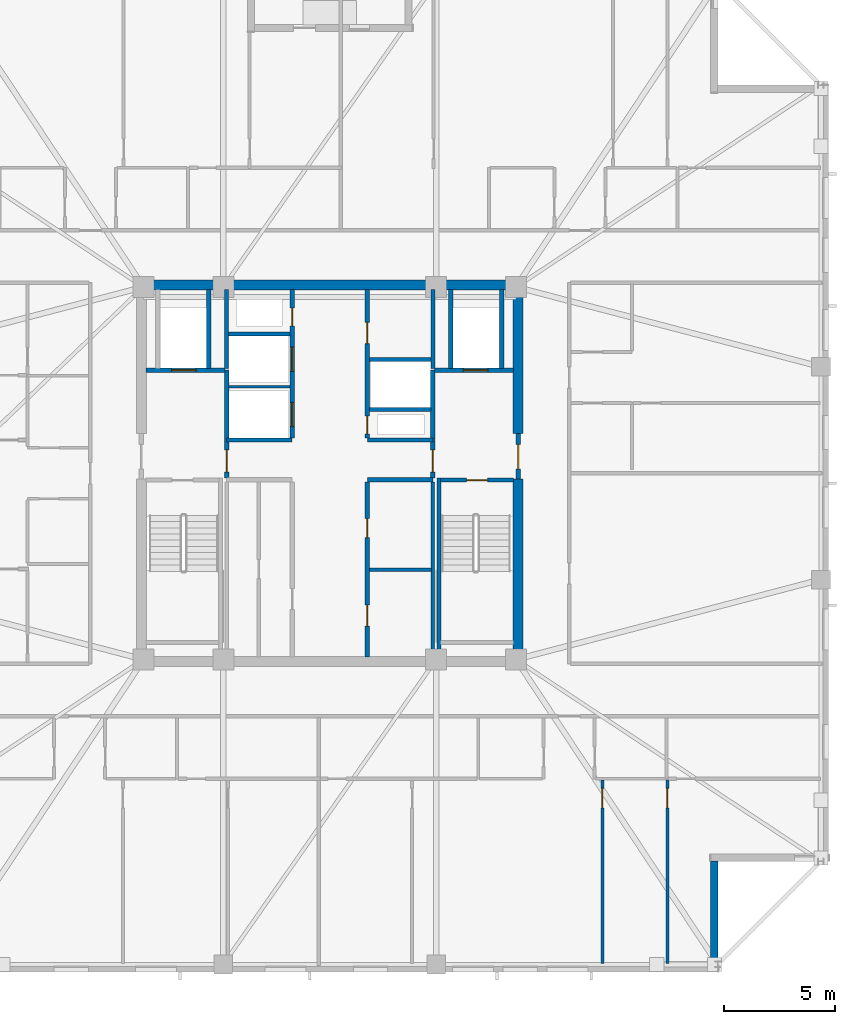
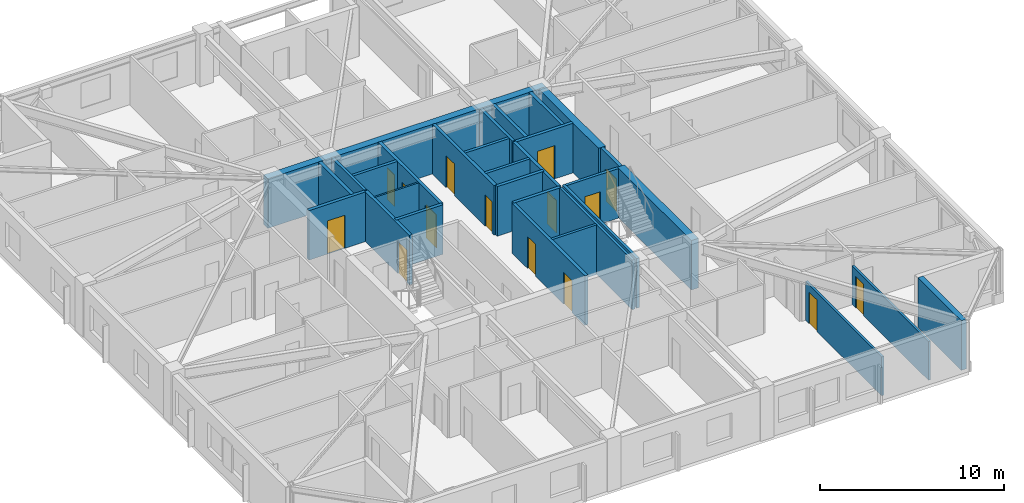
# One storey, part 9 of 17: 30 walls, 15 doors, 15 openings.
"""IFC4 building model written with IfcOpenShell, lengths in metres."""

from ifc_helpers import new_model, si_unit, direction, frame, frame_2d, origin, place, context, subcontext, project, spatial, rectangle, extrude, material, layer, layer_set, type_object, element, fill, save


model = new_model("IFC4")

# Units and contexts
model_context = context("Model", 3, precision=1e-05, world=origin(), true_north=direction((0.0, 1.0)))
body_context = subcontext(model_context, "Body", "Model", "MODEL_VIEW")
ifc_project = project(units=[si_unit("LENGTHUNIT", "METRE"), si_unit("AREAUNIT", "SQUARE_METRE"), si_unit("VOLUMEUNIT", "CUBIC_METRE"), si_unit("PLANEANGLEUNIT", "RADIAN"), si_unit("MASSUNIT", "GRAM", prefix="KILO")], contexts=[model_context])

# Site, building, storey
site_placement = place(None, origin())
site = spatial("IfcSite", under=ifc_project, at=site_placement, CompositionType="ELEMENT")
building_placement = place(site_placement, origin())
building = spatial("IfcBuilding", under=site, at=building_placement, Name="Cairnveth Concourse Tower", CompositionType="ELEMENT")
storey_placement = place(building_placement, frame((0.0, 0.0, 209.5)))
storey = spatial("IfcBuildingStorey", under=building, at=storey_placement, Name="L57", CompositionType="ELEMENT", Elevation=209.5)

# Walls
ifc_material_1 = material(Name="Gypsum Plasterboard Partition", Category="gypsum")
ifc_layer_1 = layer(ifc_material_1, 0.159912109375)
ifc_layer_set_1 = layer_set([ifc_layer_1], Name="Gypsum Plasterboard Partition")
wall_type_1 = type_object("IfcWallType", Name="ACOUSTIC PARTY WALL 180", PredefinedType="PARTITIONING", material=ifc_layer_set_1)
wall_1_placement = place(storey_placement, frame((56.64990234375, 30.7099609375, 0.0), z_axis=(0.0, 0.0, 1.0), x_axis=(0.0, 1.0, 0.0)))
element("IfcWall", 1, at=wall_1_placement, inside=storey, type_object=wall_type_1, Name="Interior Wall IW-L57-027", PredefinedType="PARTITIONING", context=body_context, shape_type="SweptSolid", body=[
    extrude(rectangle(XDim=7.905029296875, YDim=0.159912109375, at=frame_2d((3.95263671875, 0.0))), origin(), (0.0, 0.0, 1.0), 3.2900390625),
])
wall_2_placement = place(storey_placement, frame((53.784912109375, 34.64990234375, 0.0), z_axis=(0.0, 0.0, 1.0), x_axis=(1.0, 0.0, 0.0)))
element("IfcWall", 2, at=wall_2_placement, inside=storey, type_object=wall_type_1, Name="Interior Wall IW-L57-028", PredefinedType="PARTITIONING", context=body_context, shape_type="SweptSolid", body=[
    extrude(rectangle(XDim=2.800048828125, YDim=0.159912109375, at=frame_2d((1.39990234375, 0.0))), origin(), (0.0, 0.0, 1.0), 3.2900390625),
])
ifc_material_2 = material(Name="Concrete N65 (65 MPa)", Category="concrete")
ifc_layer_2 = layer(ifc_material_2, 0.449951171875)
ifc_layer_set_2 = layer_set([ifc_layer_2], Name="Concrete N65 (65 MPa)")
wall_type_2 = type_object("IfcWallType", Name="CORE SHEAR WALL 450", PredefinedType="SHEAR", material=ifc_layer_set_2)
wall_3_placement = place(storey_placement, frame((43.27490234375, 47.5, 0.0), z_axis=(0.0, 0.0, 1.0), x_axis=(1.0, 0.0, 0.0)))
element("IfcWall", 3, at=wall_3_placement, inside=storey, type_object=wall_type_2, Name="Core North Shear Wall L57", PredefinedType="SHEAR", context=body_context, shape_type="SweptSolid", body=[
    extrude(rectangle(XDim=17.4501953125, YDim=0.449951171875, at=frame_2d((8.72509765625, 0.0))), origin(), (0.0, 0.0, 1.0), 3.2900390625),
])
wall_4_placement = place(storey_placement, frame((60.5, 30.715087890625, 0.0), z_axis=(0.0, 0.0, 1.0), x_axis=(0.0, 1.0, 0.0)))
element("IfcWall", 4, at=wall_4_placement, inside=storey, type_object=wall_type_2, Name="Core East Shear Wall S L57", PredefinedType="SHEAR", context=body_context, shape_type="SweptSolid", body=[
    extrude(rectangle(XDim=8.034912109375, YDim=0.449951171875, at=frame_2d((4.017578125, 0.0))), origin(), (0.0, 0.0, 1.0), 3.2900390625),
])
wall_5_placement = place(storey_placement, frame((60.5, 40.800048828125, 0.0), z_axis=(0.0, 0.0, 1.0), x_axis=(0.0, 1.0, 0.0)))
element("IfcWall", 5, at=wall_5_placement, inside=storey, type_object=wall_type_2, Name="Core East Shear Wall N L57", PredefinedType="SHEAR", context=body_context, shape_type="SweptSolid", body=[
    extrude(rectangle(XDim=6.48486328125, YDim=0.449951171875, at=frame_2d((3.242431640625, 0.0))), origin(), (0.0, 0.0, 1.0), 3.2900390625),
])
ifc_material_3 = material(Name="Concrete N50 (50 MPa)", Category="concrete")
ifc_layer_3 = layer(ifc_material_3, 0.179931640625)
ifc_layer_set_3 = layer_set([ifc_layer_3], Name="Concrete N50 (50 MPa)")
wall_type_3 = type_object("IfcWallType", Name="FIRE SHAFT WALL 180", PredefinedType="SOLIDWALL", material=ifc_layer_set_3)
wall_6_placement = place(storey_placement, frame((47.35009765625, 43.735107421875, 0.0), z_axis=(0.0, 0.0, 1.0), x_axis=(0.0, 1.0, 0.0)))
element("IfcWall", 6, at=wall_6_placement, inside=storey, type_object=wall_type_3, Name="Interior Wall IW-L57-029", PredefinedType="SOLIDWALL", context=body_context, shape_type="SweptSolid", body=[
    extrude(rectangle(XDim=3.554931640625, YDim=0.179931640625, at=frame_2d((1.77734375, 0.0))), origin(), (0.0, 0.0, 1.0), 3.2900390625),
])
wall_7_placement = place(storey_placement, frame((47.425048828125, 45.280029296875, 0.0), z_axis=(0.0, 0.0, 1.0), x_axis=(1.0, 0.0, 0.0)))
element("IfcWall", 7, at=wall_7_placement, inside=storey, type_object=wall_type_3, Name="Interior Wall IW-L57-031", PredefinedType="SOLIDWALL", context=body_context, shape_type="SweptSolid", body=[
    extrude(rectangle(XDim=2.7900390625, YDim=0.179931640625, at=frame_2d((1.39501953125, 0.0))), origin(), (0.0, 0.0, 1.0), 3.2900390625),
])
wall_8_placement = place(storey_placement, frame((56.64990234375, 43.735107421875, 0.0), z_axis=(0.0, 0.0, 1.0), x_axis=(0.0, 1.0, 0.0)))
element("IfcWall", 8, at=wall_8_placement, inside=storey, type_object=wall_type_3, Name="Interior Wall IW-L57-032", PredefinedType="SOLIDWALL", context=body_context, shape_type="SweptSolid", body=[
    extrude(rectangle(XDim=3.554931640625, YDim=0.179931640625, at=frame_2d((1.77734375, 0.0))), origin(), (0.0, 0.0, 1.0), 3.2900390625),
])
wall_9_placement = place(storey_placement, frame((53.784912109375, 41.8798828125, 0.0), z_axis=(0.0, 0.0, 1.0), x_axis=(1.0, 0.0, 0.0)))
element("IfcWall", 9, at=wall_9_placement, inside=storey, type_object=wall_type_3, Name="Interior Wall IW-L57-033", PredefinedType="SOLIDWALL", context=body_context, shape_type="SweptSolid", body=[
    extrude(rectangle(XDim=2.780029296875, YDim=0.179931640625, at=frame_2d((1.39013671875, 0.0))), origin(), (0.0, 0.0, 1.0), 3.2900390625),
])
wall_10_placement = place(storey_placement, frame((53.784912109375, 44.1201171875, 0.0), z_axis=(0.0, 0.0, 1.0), x_axis=(1.0, 0.0, 0.0)))
element("IfcWall", 10, at=wall_10_placement, inside=storey, type_object=wall_type_3, Name="Interior Wall IW-L57-034", PredefinedType="SOLIDWALL", context=body_context, shape_type="SweptSolid", body=[
    extrude(rectangle(XDim=2.7900390625, YDim=0.179931640625, at=frame_2d((1.39501953125, 0.0))), origin(), (0.0, 0.0, 1.0), 3.2900390625),
])

# Wall, opening, door
wall_11_placement = place(storey_placement, frame((57.0048828125, 38.68994140625, 0.0), z_axis=(0.0, 0.0, 1.0), x_axis=(1.0, 0.0, 0.0)))
wall_11 = element("IfcWall", 11, at=wall_11_placement, inside=storey, type_object=wall_type_3, Name="Stair ST-2 Shaft Wall NEAR L57", PredefinedType="SOLIDWALL", context=body_context, shape_type="SweptSolid", body=[
    extrude(rectangle(XDim=3.280029296875, YDim=0.179931640625, at=frame_2d((1.64013671875, 0.0))), origin(), (0.0, 0.0, 1.0), 3.2900390625),
])
opening_1_placement = place(wall_11_placement, frame((1.1650390625, 0.0, 0.0)))
opening_1 = element("IfcOpeningElement", 12, at=opening_1_placement, cuts=wall_11, Name="Opening ID12", PredefinedType="OPENING", context=body_context, shape_type="SweptSolid", body=[
    extrude(rectangle(XDim=0.949951171875, YDim=2.14990234375, at=frame_2d((0.47509765625, 1.074951171875))), frame((0.0, 0.099853515625, 0.0), z_axis=(0.0, -1.0, 0.0), x_axis=(1.0, 0.0, 0.0)), (0.0, 0.0, 1.0), 0.199951171875),
])
ifc_material_4 = material(Name="Steel Grade 350", Category="steel")
door_type_1 = type_object("IfcDoorType", Name="FIRE STAIR DOOR 950X2150", OperationType="NOTDEFINED", PredefinedType="DOOR", material=ifc_material_4)
door_1_placement = place(opening_1_placement, origin())
door_1 = element("IfcDoor", 13, at=door_1_placement, inside=storey, type_object=door_type_1, Name="Stair ST-2 Fire Door L57", OperationType="SINGLE_SWING_RIGHT", OverallHeight=2.14990234375, OverallWidth=0.949951171875, PredefinedType="DOOR", context=body_context, shape_type="SweptSolid", body=[
    extrude(rectangle(XDim=0.949951171875, YDim=2.14990234375, at=frame_2d((0.47509765625, 1.074951171875))), frame((0.0, 0.02490234375, 0.0), z_axis=(0.0, -1.0, 0.0), x_axis=(1.0, 0.0, 0.0)), (0.0, 0.0, 1.0), 0.050048828125),
])
fill(opening_1, door_1)

# Walls
wall_12_placement = place(storey_placement, frame((56.929931640625, 38.780029296875, 0.0), z_axis=(0.0, 0.0, 1.0), x_axis=(0.0, -1.0, 0.0)))
element("IfcWall", 14, at=wall_12_placement, inside=storey, type_object=wall_type_3, Name="Stair ST-2 Shaft Wall LEFT L57", PredefinedType="SOLIDWALL", context=body_context, shape_type="SweptSolid", body=[
    extrude(rectangle(XDim=8.067138671875, YDim=0.179931640625, at=frame_2d((4.03369140625, 0.0))), origin(), (0.0, 0.0, 1.0), 3.2900390625),
])
ifc_layer_4 = layer(ifc_material_3, 0.199951171875)
ifc_layer_set_4 = layer_set([ifc_layer_4], Name="Concrete N50 (50 MPa)")
wall_type_4 = type_object("IfcWallType", Name="FIRE SHAFT WALL 200", PredefinedType="SOLIDWALL", material=ifc_layer_set_4)
for number, where, z_axis, x_axis, name in (
    (15, (47.35009765625, 40.5, 0.0), (0.0, 0.0, 1.0), (1.0, 0.0, 0.0), "Interior Wall IW-L57-008"),
    (16, (53.699951171875, 38.699951171875, 0.0), (0.0, 0.0, 1.0), (1.0, 0.0, 0.0), "Interior Wall IW-L57-009"),
    (17, (53.699951171875, 40.5, 0.0), (0.0, 0.0, 1.0), (1.0, 0.0, 0.0), "Interior Wall IW-L57-010"),
):
    element("IfcWall", number, at=place(storey_placement, frame(where, z_axis=z_axis, x_axis=x_axis)), inside=storey, type_object=wall_type_4, Name=name, PredefinedType="SOLIDWALL", context=body_context, shape_type="SweptSolid", body=[
        extrude(rectangle(XDim=2.949951171875, YDim=0.199951171875, at=frame_2d((1.47509765625, 0.0))), origin(), (0.0, 0.0, 1.0), 3.2900390625),
    ])

# Wall, openings, doors
wall_13_placement = place(storey_placement, frame((53.699951171875, 30.7099609375, 0.0), z_axis=(0.0, 0.0, 1.0), x_axis=(0.0, 1.0, 0.0)))
wall_13 = element("IfcWall", 18, at=wall_13_placement, inside=storey, type_object=wall_type_4, Name="Interior Wall IW-L57-012", PredefinedType="SOLIDWALL", context=body_context, shape_type="SweptSolid", body=[
    extrude(rectangle(XDim=7.905029296875, YDim=0.199951171875, at=frame_2d((3.95263671875, 0.0))), origin(), (0.0, 0.0, 1.0), 3.2900390625),
])
opening_2_placement = place(wall_13_placement, frame((1.389892578125, 0.0, 0.0)))
opening_2 = element("IfcOpeningElement", 19, at=opening_2_placement, cuts=wall_13, Name="Opening ID25", PredefinedType="OPENING", context=body_context, shape_type="SweptSolid", body=[
    extrude(rectangle(XDim=0.949951171875, YDim=2.1201171875, at=frame_2d((0.47509765625, 1.06005859375))), frame((0.0, 0.10986328125, 0.0), z_axis=(0.0, -1.0, 0.0), x_axis=(1.0, 0.0, 0.0)), (0.0, 0.0, 1.0), 0.219970703125),
])
opening_3_placement = place(wall_13_placement, frame((5.389892578125, 0.0, 0.0)))
opening_3 = element("IfcOpeningElement", 20, at=opening_3_placement, cuts=wall_13, Name="Opening ID19", PredefinedType="OPENING", context=body_context, shape_type="SweptSolid", body=[
    extrude(rectangle(XDim=0.85009765625, YDim=2.1201171875, at=frame_2d((0.425048828125, 1.06005859375))), frame((0.0, 0.10986328125, 0.0), z_axis=(0.0, -1.0, 0.0), x_axis=(1.0, 0.0, 0.0)), (0.0, 0.0, 1.0), 0.219970703125),
])
door_type_2 = type_object("IfcDoorType", Name="CORE ACCESSIBLE FIRE DOOR 950X2120", OperationType="NOTDEFINED", PredefinedType="DOOR", material=ifc_material_4)
door_2_placement = place(opening_2_placement, origin())
door_2 = element("IfcDoor", 21, at=door_2_placement, inside=storey, type_object=door_type_2, Name="Sky WC Door L57", OperationType="SINGLE_SWING_LEFT", OverallHeight=2.1201171875, OverallWidth=0.949951171875, PredefinedType="DOOR", context=body_context, shape_type="SweptSolid", body=[
    extrude(rectangle(XDim=0.949951171875, YDim=2.1201171875, at=frame_2d((0.47509765625, 1.06005859375))), frame((0.0, 0.02490234375, 0.0), z_axis=(0.0, -1.0, 0.0), x_axis=(1.0, 0.0, 0.0)), (0.0, 0.0, 1.0), 0.050048828125),
])
fill(opening_2, door_2)
door_type_3 = type_object("IfcDoorType", Name="CORE SERVICE DOOR 850X2100", OperationType="NOTDEFINED", PredefinedType="DOOR", material=ifc_material_4)
door_3_placement = place(opening_3_placement, origin())
door_3 = element("IfcDoor", 22, at=door_3_placement, inside=storey, type_object=door_type_3, Name="Janitor Door L57", OperationType="SINGLE_SWING_RIGHT", OverallHeight=2.1201171875, OverallWidth=0.85009765625, PredefinedType="DOOR", context=body_context, shape_type="SweptSolid", body=[
    extrude(rectangle(XDim=0.85009765625, YDim=2.1201171875, at=frame_2d((0.425048828125, 1.06005859375))), frame((0.0, 0.02490234375, 0.0), z_axis=(0.0, -1.0, 0.0), x_axis=(1.0, 0.0, 0.0)), (0.0, 0.0, 1.0), 0.050048828125),
])
fill(opening_3, door_3)

wall_14_placement = place(storey_placement, frame((50.300048828125, 40.5849609375, 0.0), z_axis=(0.0, 0.0, 1.0), x_axis=(0.0, 1.0, 0.0)))
wall_14 = element("IfcWall", 23, at=wall_14_placement, inside=storey, type_object=wall_type_4, Name="Interior Wall IW-L57-013", PredefinedType="SOLIDWALL", context=body_context, shape_type="SweptSolid", body=[
    extrude(rectangle(XDim=6.705078125, YDim=0.199951171875, at=frame_2d((3.3525390625, 0.0))), origin(), (0.0, 0.0, 1.0), 3.2900390625),
])
opening_4_placement = place(wall_14_placement, frame((0.514892578125, 0.0, 0.0)))
opening_4 = element("IfcOpeningElement", 24, at=opening_4_placement, cuts=wall_14, Name="Opening LD-1", PredefinedType="OPENING", context=body_context, shape_type="SweptSolid", body=[
    extrude(rectangle(XDim=1.10009765625, YDim=2.199951171875, at=frame_2d((0.550048828125, 1.10009765625))), frame((0.0, 0.10986328125, 0.0), z_axis=(0.0, -1.0, 0.0), x_axis=(1.0, 0.0, 0.0)), (0.0, 0.0, 1.0), 0.219970703125),
])
opening_5_placement = place(wall_14_placement, frame((3.014892578125, 0.0, 0.0)))
opening_5 = element("IfcOpeningElement", 25, at=opening_5_placement, cuts=wall_14, Name="Opening LD-1", PredefinedType="OPENING", context=body_context, shape_type="SweptSolid", body=[
    extrude(rectangle(XDim=1.10009765625, YDim=2.199951171875, at=frame_2d((0.550048828125, 1.10009765625))), frame((0.0, 0.10986328125, 0.0), z_axis=(0.0, -1.0, 0.0), x_axis=(1.0, 0.0, 0.0)), (0.0, 0.0, 1.0), 0.219970703125),
])
opening_6_placement = place(wall_14_placement, frame((5.06494140625, 0.0, 0.0)))
opening_6 = element("IfcOpeningElement", 26, at=opening_6_placement, cuts=wall_14, Name="Opening ID24", PredefinedType="OPENING", context=body_context, shape_type="SweptSolid", body=[
    extrude(rectangle(XDim=0.800048828125, YDim=2.080078125, at=frame_2d((0.39990234375, 1.0400390625))), frame((0.0, 0.10986328125, 0.0), z_axis=(0.0, -1.0, 0.0), x_axis=(1.0, 0.0, 0.0)), (0.0, 0.0, 1.0), 0.219970703125),
])
ifc_material_5 = material(Name="Architectural Bronze Anodised Aluminium 6063-T6", Category="aluminium")
door_type_4 = type_object("IfcDoorType", Name="LIFT LANDING DOOR 1100X2200", OperationType="SLIDING_TO_LEFT", PredefinedType="DOOR", material=ifc_material_5)
door_4_placement = place(opening_4_placement, origin())
door_4 = element("IfcDoor", 27, at=door_4_placement, inside=storey, type_object=door_type_4, Name="Lift PL7 Landing Door L57", OperationType="SLIDING_TO_LEFT", OverallHeight=2.199951171875, OverallWidth=1.10009765625, PredefinedType="DOOR", context=body_context, shape_type="SweptSolid", body=[
    extrude(rectangle(XDim=1.10009765625, YDim=2.199951171875, at=frame_2d((0.550048828125, 1.10009765625))), frame((0.0, 0.02490234375, 0.0), z_axis=(0.0, -1.0, 0.0), x_axis=(1.0, 0.0, 0.0)), (0.0, 0.0, 1.0), 0.050048828125),
])
fill(opening_4, door_4)
door_5_placement = place(opening_5_placement, origin())
door_5 = element("IfcDoor", 28, at=door_5_placement, inside=storey, type_object=door_type_4, Name="Lift PL8 Landing Door L57", OperationType="SLIDING_TO_LEFT", OverallHeight=2.199951171875, OverallWidth=1.10009765625, PredefinedType="DOOR", context=body_context, shape_type="SweptSolid", body=[
    extrude(rectangle(XDim=1.10009765625, YDim=2.199951171875, at=frame_2d((0.550048828125, 1.10009765625))), frame((0.0, 0.02490234375, 0.0), z_axis=(0.0, -1.0, 0.0), x_axis=(1.0, 0.0, 0.0)), (0.0, 0.0, 1.0), 0.050048828125),
])
fill(opening_5, door_5)
door_type_5 = type_object("IfcDoorType", Name="RISER ACCESS DOOR 800X2100", OperationType="NOTDEFINED", PredefinedType="DOOR", material=ifc_material_4)
door_6_placement = place(opening_6_placement, origin())
door_6 = element("IfcDoor", 29, at=door_6_placement, inside=storey, type_object=door_type_5, Name="NW Electrical Riser Access Door L57", OperationType="SINGLE_SWING_LEFT", OverallHeight=2.080078125, OverallWidth=0.800048828125, PredefinedType="DOOR", context=body_context, shape_type="SweptSolid", body=[
    extrude(rectangle(XDim=0.800048828125, YDim=2.080078125, at=frame_2d((0.39990234375, 1.0400390625))), frame((0.0, 0.02490234375, 0.0), z_axis=(0.0, -1.0, 0.0), x_axis=(1.0, 0.0, 0.0)), (0.0, 0.0, 1.0), 0.050048828125),
])
fill(opening_6, door_6)

wall_15_placement = place(storey_placement, frame((53.699951171875, 40.5849609375, 0.0), z_axis=(0.0, 0.0, 1.0), x_axis=(0.0, 1.0, 0.0)))
wall_15 = element("IfcWall", 30, at=wall_15_placement, inside=storey, type_object=wall_type_4, Name="Interior Wall IW-L57-014", PredefinedType="SOLIDWALL", context=body_context, shape_type="SweptSolid", body=[
    extrude(rectangle(XDim=6.705078125, YDim=0.199951171875, at=frame_2d((3.3525390625, 0.0))), origin(), (0.0, 0.0, 1.0), 3.2900390625),
])
opening_7_placement = place(wall_15_placement, frame((0.195068359375, 0.0, 0.0)))
opening_7 = element("IfcOpeningElement", 31, at=opening_7_placement, cuts=wall_15, Name="Opening ID24", PredefinedType="OPENING", context=body_context, shape_type="SweptSolid", body=[
    extrude(rectangle(XDim=0.800048828125, YDim=2.080078125, at=frame_2d((0.39990234375, 1.0400390625))), frame((0.0, 0.10986328125, 0.0), z_axis=(0.0, -1.0, 0.0), x_axis=(1.0, 0.0, 0.0)), (0.0, 0.0, 1.0), 0.219970703125),
])
opening_8_placement = place(wall_15_placement, frame((4.264892578125, 0.0, 0.0)))
opening_8 = element("IfcOpeningElement", 32, at=opening_8_placement, cuts=wall_15, Name="Opening ID25", PredefinedType="OPENING", context=body_context, shape_type="SweptSolid", body=[
    extrude(rectangle(XDim=0.949951171875, YDim=2.1201171875, at=frame_2d((0.47509765625, 1.06005859375))), frame((0.0, 0.10986328125, 0.0), z_axis=(0.0, -1.0, 0.0), x_axis=(1.0, 0.0, 0.0)), (0.0, 0.0, 1.0), 0.219970703125),
])
door_7_placement = place(opening_8_placement, origin())
door_7 = element("IfcDoor", 33, at=door_7_placement, inside=storey, type_object=door_type_2, Name="Core NE Accessible WC Door L57", OperationType="SINGLE_SWING_LEFT", OverallHeight=2.1201171875, OverallWidth=0.949951171875, PredefinedType="DOOR", context=body_context, shape_type="SweptSolid", body=[
    extrude(rectangle(XDim=0.949951171875, YDim=2.1201171875, at=frame_2d((0.47509765625, 1.06005859375))), frame((0.0, 0.02490234375, 0.0), z_axis=(0.0, -1.0, 0.0), x_axis=(1.0, 0.0, 0.0)), (0.0, 0.0, 1.0), 0.050048828125),
])
fill(opening_8, door_7)
door_8_placement = place(opening_7_placement, origin())
door_8 = element("IfcDoor", 34, at=door_8_placement, inside=storey, type_object=door_type_5, Name="Hydraulic Riser Door L57", OperationType="SINGLE_SWING_RIGHT", OverallHeight=2.080078125, OverallWidth=0.800048828125, PredefinedType="DOOR", context=body_context, shape_type="SweptSolid", body=[
    extrude(rectangle(XDim=0.800048828125, YDim=2.080078125, at=frame_2d((0.39990234375, 1.0400390625))), frame((0.0, 0.02490234375, 0.0), z_axis=(0.0, -1.0, 0.0), x_axis=(1.0, 0.0, 0.0)), (0.0, 0.0, 1.0), 0.050048828125),
])
fill(opening_7, door_8)

# Wall, opening, door
wall_16_placement = place(storey_placement, frame((47.35009765625, 38.784912109375, 0.0), z_axis=(0.0, 0.0, 1.0), x_axis=(0.0, 1.0, 0.0)))
wall_16 = element("IfcWall", 35, at=wall_16_placement, inside=storey, type_object=wall_type_4, Name="Interior Wall IW-L57-016", PredefinedType="SOLIDWALL", context=body_context, shape_type="SweptSolid", body=[
    extrude(rectangle(XDim=4.864990234375, YDim=0.199951171875, at=frame_2d((2.4326171875, 0.0))), origin(), (0.0, 0.0, 1.0), 3.2900390625),
])
opening_9_placement = place(wall_16_placement, frame((0.264892578125, 0.0, 0.0)))
opening_9 = element("IfcOpeningElement", 36, at=opening_9_placement, cuts=wall_16, Name="Opening ID07", PredefinedType="OPENING", context=body_context, shape_type="SweptSolid", body=[
    extrude(rectangle(XDim=1.0, YDim=2.14990234375, at=frame_2d((0.5, 1.074951171875))), frame((0.0, 0.10986328125, 0.0), z_axis=(0.0, -1.0, 0.0), x_axis=(1.0, 0.0, 0.0)), (0.0, 0.0, 1.0), 0.219970703125),
])
door_type_6 = type_object("IfcDoorType", Name="FIRE CORRIDOR DOOR 1000X2150", OperationType="NOTDEFINED", PredefinedType="DOOR", material=ifc_material_4)
door_9_placement = place(opening_9_placement, origin())
door_9 = element("IfcDoor", 37, at=door_9_placement, inside=storey, type_object=door_type_6, Name="FF Lobby West to Lift Lobby Door L57", OperationType="SINGLE_SWING_RIGHT", OverallHeight=2.14990234375, OverallWidth=1.0, PredefinedType="DOOR", context=body_context, shape_type="SweptSolid", body=[
    extrude(rectangle(XDim=1.0, YDim=2.14990234375, at=frame_2d((0.5, 1.074951171875))), frame((0.0, 0.02490234375, 0.0), z_axis=(0.0, -1.0, 0.0), x_axis=(1.0, 0.0, 0.0)), (0.0, 0.0, 1.0), 0.050048828125),
])
fill(opening_9, door_9)

wall_17_placement = place(storey_placement, frame((43.7099609375, 43.64990234375, 0.0), z_axis=(0.0, 0.0, 1.0), x_axis=(1.0, 0.0, 0.0)))
wall_17 = element("IfcWall", 38, at=wall_17_placement, inside=storey, type_object=wall_type_4, Name="Interior Wall IW-L57-017", PredefinedType="SOLIDWALL", context=body_context, shape_type="SweptSolid", body=[
    extrude(rectangle(XDim=3.554931640625, YDim=0.199951171875, at=frame_2d((1.77734375, 0.0))), origin(), (0.0, 0.0, 1.0), 3.2900390625),
])
opening_10_placement = place(wall_17_placement, frame((1.159912109375, 0.0, 0.0)))
opening_10 = element("IfcOpeningElement", 39, at=opening_10_placement, cuts=wall_17, Name="Opening LD-1", PredefinedType="OPENING", context=body_context, shape_type="SweptSolid", body=[
    extrude(rectangle(XDim=1.10009765625, YDim=2.199951171875, at=frame_2d((0.550048828125, 1.10009765625))), frame((0.0, 0.10986328125, 0.0), z_axis=(0.0, -1.0, 0.0), x_axis=(1.0, 0.0, 0.0)), (0.0, 0.0, 1.0), 0.219970703125),
])
door_10_placement = place(opening_10_placement, origin())
door_10 = element("IfcDoor", 40, at=door_10_placement, inside=storey, type_object=door_type_4, Name="Lift FFL1 Landing Door L57", OperationType="SLIDING_TO_LEFT", OverallHeight=2.199951171875, OverallWidth=1.10009765625, PredefinedType="DOOR", context=body_context, shape_type="SweptSolid", body=[
    extrude(rectangle(XDim=1.10009765625, YDim=2.199951171875, at=frame_2d((0.550048828125, 1.10009765625))), frame((0.0, 0.02490234375, 0.0), z_axis=(0.0, -1.0, 0.0), x_axis=(1.0, 0.0, 0.0)), (0.0, 0.0, 1.0), 0.050048828125),
])
fill(opening_10, door_10)

# Wall
wall_18_placement = place(storey_placement, frame((46.550048828125, 43.735107421875, 0.0), z_axis=(0.0, 0.0, 1.0), x_axis=(0.0, 1.0, 0.0)))
element("IfcWall", 41, at=wall_18_placement, inside=storey, type_object=wall_type_4, Name="Interior Wall IW-L57-018", PredefinedType="SOLIDWALL", context=body_context, shape_type="SweptSolid", body=[
    extrude(rectangle(XDim=3.554931640625, YDim=0.199951171875, at=frame_2d((1.77734375, 0.0))), origin(), (0.0, 0.0, 1.0), 3.2900390625),
])

# Wall, opening, door
wall_19_placement = place(storey_placement, frame((60.5, 38.75, 0.0), z_axis=(0.0, 0.0, 1.0), x_axis=(0.0, 1.0, 0.0)))
wall_19 = element("IfcWall", 42, at=wall_19_placement, inside=storey, type_object=wall_type_4, Name="Interior Wall IW-L57-020", PredefinedType="SOLIDWALL", context=body_context, shape_type="SweptSolid", body=[
    extrude(rectangle(XDim=2.050048828125, YDim=0.199951171875, at=frame_2d((1.02490234375, 0.0))), origin(), (0.0, 0.0, 1.0), 3.2900390625),
])
opening_11_placement = place(wall_19_placement, frame((0.449951171875, 0.0, 0.0)))
opening_11 = element("IfcOpeningElement", 43, at=opening_11_placement, cuts=wall_19, Name="Opening ID06", PredefinedType="OPENING", context=body_context, shape_type="SweptSolid", body=[
    extrude(rectangle(XDim=1.10009765625, YDim=2.14990234375, at=frame_2d((0.550048828125, 1.074951171875))), frame((0.0, 0.10986328125, 0.0), z_axis=(0.0, -1.0, 0.0), x_axis=(1.0, 0.0, 0.0)), (0.0, 0.0, 1.0), 0.219970703125),
])
door_type_7 = type_object("IfcDoorType", Name="FIRE CORRIDOR DOOR 1100X2150", OperationType="NOTDEFINED", PredefinedType="DOOR", material=ifc_material_4)
door_11_placement = place(opening_11_placement, origin())
door_11 = element("IfcDoor", 44, at=door_11_placement, inside=storey, type_object=door_type_7, Name="East Wing to FF Lobby Door L57", OperationType="SINGLE_SWING_RIGHT", OverallHeight=2.14990234375, OverallWidth=1.10009765625, PredefinedType="DOOR", context=body_context, shape_type="SweptSolid", body=[
    extrude(rectangle(XDim=1.10009765625, YDim=2.14990234375, at=frame_2d((0.550048828125, 1.074951171875))), frame((0.0, 0.02490234375, 0.0), z_axis=(0.0, -1.0, 0.0), x_axis=(1.0, 0.0, 0.0)), (0.0, 0.0, 1.0), 0.050048828125),
])
fill(opening_11, door_11)

wall_20_placement = place(storey_placement, frame((56.64990234375, 38.784912109375, 0.0), z_axis=(0.0, 0.0, 1.0), x_axis=(0.0, 1.0, 0.0)))
wall_20 = element("IfcWall", 45, at=wall_20_placement, inside=storey, type_object=wall_type_4, Name="Interior Wall IW-L57-021", PredefinedType="SOLIDWALL", context=body_context, shape_type="SweptSolid", body=[
    extrude(rectangle(XDim=4.864990234375, YDim=0.199951171875, at=frame_2d((2.4326171875, 0.0))), origin(), (0.0, 0.0, 1.0), 3.2900390625),
])
opening_12_placement = place(wall_20_placement, frame((0.264892578125, 0.0, 0.0)))
opening_12 = element("IfcOpeningElement", 46, at=opening_12_placement, cuts=wall_20, Name="Opening ID07", PredefinedType="OPENING", context=body_context, shape_type="SweptSolid", body=[
    extrude(rectangle(XDim=1.0, YDim=2.14990234375, at=frame_2d((0.5, 1.074951171875))), frame((0.0, 0.10986328125, 0.0), z_axis=(0.0, -1.0, 0.0), x_axis=(1.0, 0.0, 0.0)), (0.0, 0.0, 1.0), 0.219970703125),
])
door_12_placement = place(opening_12_placement, origin())
door_12 = element("IfcDoor", 47, at=door_12_placement, inside=storey, type_object=door_type_6, Name="FF Lobby East to Lift Lobby Door L57", OperationType="SINGLE_SWING_LEFT", OverallHeight=2.14990234375, OverallWidth=1.0, PredefinedType="DOOR", context=body_context, shape_type="SweptSolid", body=[
    extrude(rectangle(XDim=1.0, YDim=2.14990234375, at=frame_2d((0.5, 1.074951171875))), frame((0.0, 0.02490234375, 0.0), z_axis=(0.0, -1.0, 0.0), x_axis=(1.0, 0.0, 0.0)), (0.0, 0.0, 1.0), 0.050048828125),
])
fill(opening_12, door_12)

wall_21_placement = place(storey_placement, frame((56.735107421875, 43.64990234375, 0.0), z_axis=(0.0, 0.0, 1.0), x_axis=(1.0, 0.0, 0.0)))
wall_21 = element("IfcWall", 48, at=wall_21_placement, inside=storey, type_object=wall_type_4, Name="Interior Wall IW-L57-022", PredefinedType="SOLIDWALL", context=body_context, shape_type="SweptSolid", body=[
    extrude(rectangle(XDim=3.554931640625, YDim=0.199951171875, at=frame_2d((1.77734375, 0.0))), origin(), (0.0, 0.0, 1.0), 3.2900390625),
])
opening_13_placement = place(wall_21_placement, frame((1.294921875, 0.0, 0.0)))
opening_13 = element("IfcOpeningElement", 49, at=opening_13_placement, cuts=wall_21, Name="Opening LD-1", PredefinedType="OPENING", context=body_context, shape_type="SweptSolid", body=[
    extrude(rectangle(XDim=1.10009765625, YDim=2.199951171875, at=frame_2d((0.550048828125, 1.10009765625))), frame((0.0, 0.10986328125, 0.0), z_axis=(0.0, -1.0, 0.0), x_axis=(1.0, 0.0, 0.0)), (0.0, 0.0, 1.0), 0.219970703125),
])
door_13_placement = place(opening_13_placement, origin())
door_13 = element("IfcDoor", 50, at=door_13_placement, inside=storey, type_object=door_type_4, Name="Lift FFL2 Landing Door L57", OperationType="SLIDING_TO_LEFT", OverallHeight=2.199951171875, OverallWidth=1.10009765625, PredefinedType="DOOR", context=body_context, shape_type="SweptSolid", body=[
    extrude(rectangle(XDim=1.10009765625, YDim=2.199951171875, at=frame_2d((0.550048828125, 1.10009765625))), frame((0.0, 0.02490234375, 0.0), z_axis=(0.0, -1.0, 0.0), x_axis=(1.0, 0.0, 0.0)), (0.0, 0.0, 1.0), 0.050048828125),
])
fill(opening_13, door_13)

# Walls
for number, where, z_axis, x_axis, name in (
    (51, (57.449951171875, 43.735107421875, 0.0), (0.0, 0.0, 1.0), (0.0, 1.0, 0.0), "Interior Wall IW-L57-023"),
    (52, (59.75, 43.735107421875, 0.0), (0.0, 0.0, 1.0), (0.0, 1.0, 0.0), "Interior Wall IW-L57-024"),
):
    element("IfcWall", number, at=place(storey_placement, frame(where, z_axis=z_axis, x_axis=x_axis)), inside=storey, type_object=wall_type_4, Name=name, PredefinedType="SOLIDWALL", context=body_context, shape_type="SweptSolid", body=[
        extrude(rectangle(XDim=3.554931640625, YDim=0.199951171875, at=frame_2d((1.77734375, 0.0))), origin(), (0.0, 0.0, 1.0), 3.2900390625),
    ])

# Wall, opening, door
ifc_layer_5 = layer(ifc_material_1, 0.139892578125)
ifc_layer_set_5 = layer_set([ifc_layer_5], Name="Gypsum Plasterboard Partition")
wall_type_5 = type_object("IfcWallType", Name="GYPSUM STUD PARTITION 140", PredefinedType="PARTITIONING", material=ifc_layer_set_5)
wall_22_placement = place(storey_placement, frame((67.22998046875, 16.8798828125, 0.0), z_axis=(0.0, 0.0, 1.0), x_axis=(0.0, 1.0, 0.0)))
wall_22 = element("IfcWall", 53, at=wall_22_placement, inside=storey, type_object=wall_type_5, Name="Interior Wall IW-L57-063", PredefinedType="PARTITIONING", context=body_context, shape_type="SweptSolid", body=[
    extrude(rectangle(XDim=8.2900390625, YDim=0.139892578125, at=frame_2d((4.14501953125, 0.0))), origin(), (0.0, 0.0, 1.0), 2.572998046875),
])
opening_14_placement = place(wall_22_placement, frame((7.030029296875, 0.0, 0.0)))
opening_14 = element("IfcOpeningElement", 54, at=opening_14_placement, cuts=wall_22, Name="Opening ID18", PredefinedType="OPENING", context=body_context, shape_type="SweptSolid", body=[
    extrude(rectangle(XDim=0.8798828125, YDim=2.10009765625, at=frame_2d((0.43994140625, 1.050048828125))), frame((0.0, 0.079833984375, 0.0), z_axis=(0.0, -1.0, 0.0), x_axis=(1.0, 0.0, 0.0)), (0.0, 0.0, 1.0), 0.159912109375),
])
ifc_material_6 = material(Name="Solid Core Hardwood Timber Leaf", Category="wood")
door_type_8 = type_object("IfcDoorType", Name="INTERIOR SINGLE DOOR 880X2100", OperationType="NOTDEFINED", PredefinedType="DOOR", material=ifc_material_6)
door_14_placement = place(opening_14_placement, origin())
door_14 = element("IfcDoor", 55, at=door_14_placement, inside=storey, type_object=door_type_8, Name="L57S2 Bedroom 2 Door", OperationType="SINGLE_SWING_LEFT", OverallHeight=2.10009765625, OverallWidth=0.8798828125, PredefinedType="DOOR", context=body_context, shape_type="SweptSolid", body=[
    extrude(rectangle(XDim=0.8798828125, YDim=2.10009765625, at=frame_2d((0.43994140625, 1.050048828125))), frame((0.0, 0.02490234375, 0.0), z_axis=(0.0, -1.0, 0.0), x_axis=(1.0, 0.0, 0.0)), (0.0, 0.0, 1.0), 0.050048828125),
])
fill(opening_14, door_14)

wall_23_placement = place(storey_placement, frame((64.296142578125, 16.8798828125, 0.0), z_axis=(0.0, 0.0, 1.0), x_axis=(0.0, 1.0, 0.0)))
wall_23 = element("IfcWall", 56, at=wall_23_placement, inside=storey, type_object=wall_type_5, Name="Interior Wall IW-L57-065", PredefinedType="PARTITIONING", context=body_context, shape_type="SweptSolid", body=[
    extrude(rectangle(XDim=8.2900390625, YDim=0.139892578125, at=frame_2d((4.14501953125, 0.0))), origin(), (0.0, 0.0, 1.0), 2.572998046875),
])
opening_15_placement = place(wall_23_placement, frame((7.030029296875, 0.0, 0.0)))
opening_15 = element("IfcOpeningElement", 57, at=opening_15_placement, cuts=wall_23, Name="Opening ID18", PredefinedType="OPENING", context=body_context, shape_type="SweptSolid", body=[
    extrude(rectangle(XDim=0.8798828125, YDim=2.10009765625, at=frame_2d((0.43994140625, 1.050048828125))), frame((0.0, 0.079833984375, 0.0), z_axis=(0.0, -1.0, 0.0), x_axis=(1.0, 0.0, 0.0)), (0.0, 0.0, 1.0), 0.159912109375),
])
door_15_placement = place(opening_15_placement, origin())
door_15 = element("IfcDoor", 58, at=door_15_placement, inside=storey, type_object=door_type_8, Name="L57S2 Media Lounge Door", OperationType="SINGLE_SWING_RIGHT", OverallHeight=2.10009765625, OverallWidth=0.8798828125, PredefinedType="DOOR", context=body_context, shape_type="SweptSolid", body=[
    extrude(rectangle(XDim=0.8798828125, YDim=2.10009765625, at=frame_2d((0.43994140625, 1.050048828125))), frame((0.0, 0.02490234375, 0.0), z_axis=(0.0, -1.0, 0.0), x_axis=(1.0, 0.0, 0.0)), (0.0, 0.0, 1.0), 0.050048828125),
])
fill(opening_15, door_15)

# Walls
ifc_layer_6 = layer(ifc_material_1, 0.110107421875)
ifc_layer_set_6 = layer_set([ifc_layer_6], Name="Gypsum Plasterboard Partition")
wall_type_6 = type_object("IfcWallType", Name="SHAFT DIVIDER WALL 140", PredefinedType="PARTITIONING", material=ifc_layer_set_6)
wall_24_placement = place(storey_placement, frame((47.43505859375, 42.89990234375, 0.0), z_axis=(0.0, 0.0, 1.0), x_axis=(1.0, 0.0, 0.0)))
element("IfcWall", 59, at=wall_24_placement, inside=storey, type_object=wall_type_6, Name="Interior Wall IW-L57-030", PredefinedType="PARTITIONING", context=body_context, shape_type="SweptSolid", body=[
    extrude(rectangle(XDim=2.780029296875, YDim=0.110107421875, at=frame_2d((1.39013671875, 0.0))), origin(), (0.0, 0.0, 1.0), 3.2900390625),
])
ifc_material_7 = material(Name="Melbourne Buff Fired Clay Brick Masonry", Category="masonry")
ifc_layer_7 = layer(ifc_material_7, 0.320068359375)
ifc_layer_set_7 = layer_set([ifc_layer_7], Name="Melbourne Buff Fired Clay Brick Masonry")
wall_type_7 = type_object("IfcWallType", Name="ZONE 3 BRICK PIER SPANDREL WALL 320", PredefinedType="SOLIDWALL", material=ifc_layer_set_7)
wall_25_placement = place(storey_placement, frame((69.340087890625, 21.52197265625, 0.0), z_axis=(0.0, 0.0, 1.0), x_axis=(0.0, -1.0, 0.0)))
element("IfcWall", 60, at=wall_25_placement, inside=storey, type_object=wall_type_7, Name="Exterior Wall EW-L57-S05", PredefinedType="SOLIDWALL", context=body_context, shape_type="SweptSolid", body=[
    extrude(rectangle(XDim=4.723876953125, YDim=0.320068359375, at=frame_2d((2.36181640625, 0.0))), origin(), (0.0, 0.0, 1.0), 3.2900390625),
])

save(model, "model.ifc")
